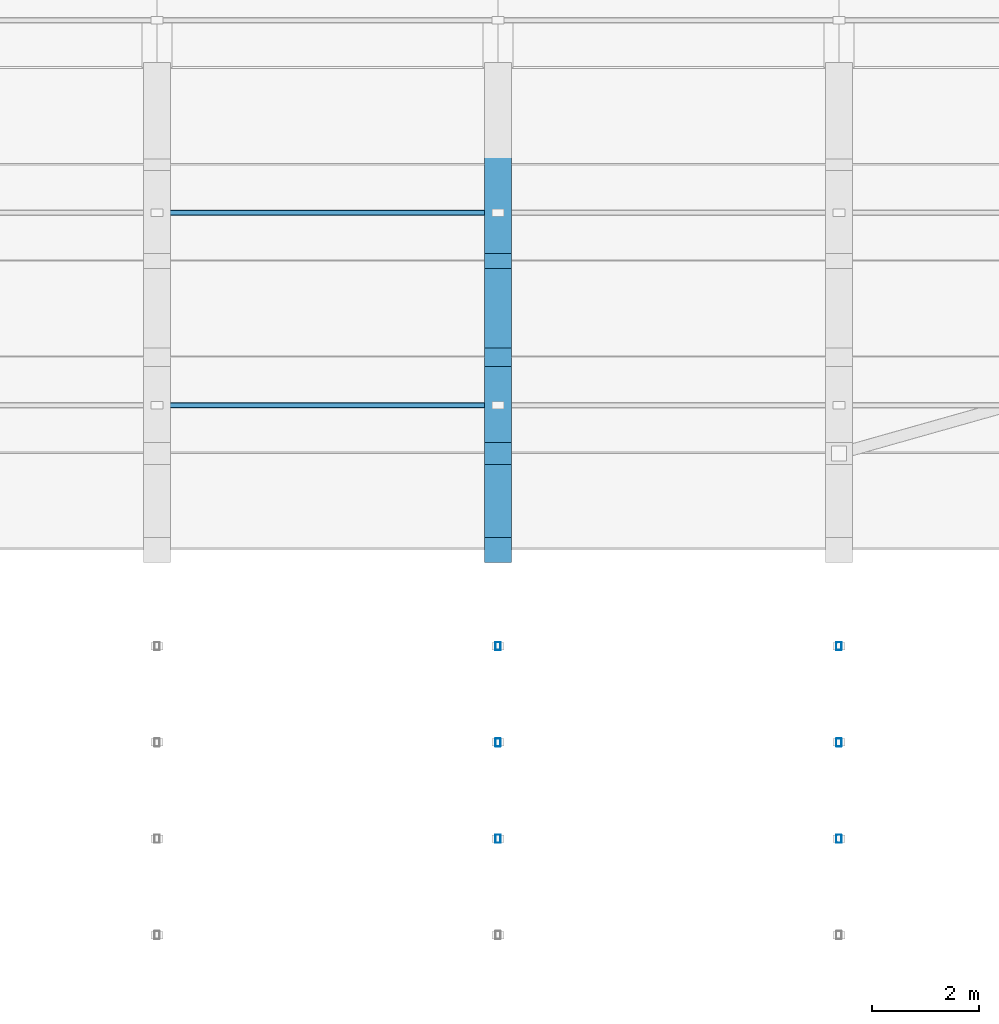
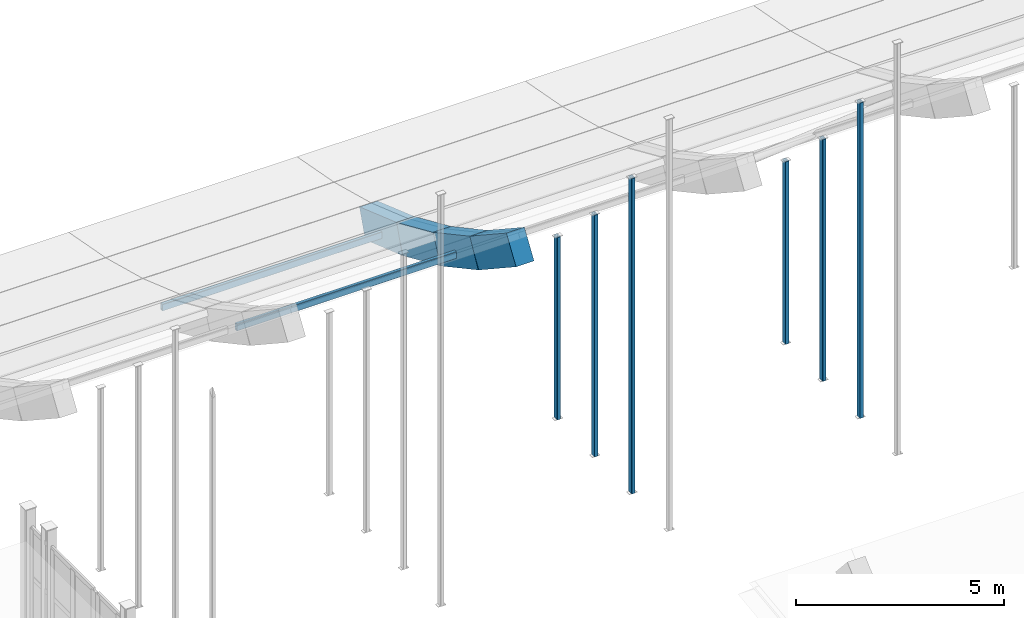
# One storey, part 21 of 77: 12 members.
"""IFC4 building model written with IfcOpenShell, lengths in metres."""

from ifc_helpers import new_model, si_unit, direction, frame, origin, origin_2d, place, context, subcontext, project, spatial, rectangle, hollow_rectangle, extrude, material, material_profile, profile_set, type_object, element, save


model = new_model("IFC4")

# Units and contexts
model_context = context("Model", 3, precision=1e-05, world=origin(), true_north=direction((0.0, 1.0)))
body_context = subcontext(model_context, "Body", "Model", "MODEL_VIEW")
ifc_project = project(units=[si_unit("LENGTHUNIT", "METRE"), si_unit("AREAUNIT", "SQUARE_METRE"), si_unit("VOLUMEUNIT", "CUBIC_METRE"), si_unit("PLANEANGLEUNIT", "RADIAN"), si_unit("MASSUNIT", "GRAM", prefix="KILO")], contexts=[model_context])

# Site, building, storey
site_placement = place(None, origin())
site = spatial("IfcSite", under=ifc_project, at=site_placement, CompositionType="ELEMENT")
building_placement = place(site_placement, origin())
building = spatial("IfcBuilding", under=site, at=building_placement, Name="Trellovar Central Fire Station", CompositionType="ELEMENT")
storey_placement = place(building_placement, frame((0.0, 0.0, 5.85009765625)))
storey = spatial("IfcBuildingStorey", under=building, at=storey_placement, Name="L02", CompositionType="ELEMENT", Elevation=5.85009765625)

# Members
ifc_material_1 = material(Name="Concrete C40/50", Category="concrete")
ifc_material_profile_1 = material_profile(ifc_material_1, rectangle(XDim=0.5, YDim=0.85009765625, at=origin_2d()), Name="RC500X850")
ifc_profile_set_1 = profile_set([ifc_material_profile_1], Name="Concrete C40/50")
member_type_1 = type_object("IfcMemberType", Name="MEM-AR2", PredefinedType="CHORD", material=ifc_profile_set_1)
member_1_placement = place(storey_placement, frame((54.050048828125, 31.6533203125, 3.73974609375), z_axis=(0.0, 0.835516018722, -0.549466088544), x_axis=(-1.0, 0.0, 0.0)))
element("IfcMember", 1, at=member_1_placement, inside=storey, type_object=member_type_1, Name="Parabolic arch rib AR-04 chord 11", PredefinedType="CHORD", context=body_context, shape_type="SweptSolid", body=[
    extrude(rectangle(XDim=0.5, YDim=0.85009765625, at=origin_2d()), origin(), (0.0, 0.0, 1.0), 2.146484375),
])
member_2_placement = place(storey_placement, frame((54.050048828125, 33.44677734375, 2.560302734375), z_axis=(0.0, 0.879319122317, -0.476233011379), x_axis=(-1.0, 0.0, 0.0)))
element("IfcMember", 2, at=member_2_placement, inside=storey, type_object=member_type_1, Name="Parabolic arch rib AR-04 chord 12", PredefinedType="CHORD", context=body_context, shape_type="SweptSolid", body=[
    extrude(rectangle(XDim=0.5, YDim=0.85009765625, at=origin_2d()), origin(), (0.0, 0.0, 1.0), 2.039306640625),
])
member_3_placement = place(storey_placement, frame((54.050048828125, 35.239990234375, 1.589111328125), z_axis=(0.0, 0.915259901496, -0.402863888569), x_axis=(-1.0, 0.0, 0.0)))
element("IfcMember", 3, at=member_3_placement, inside=storey, type_object=member_type_1, Name="Parabolic arch rib AR-04 chord 13", PredefinedType="CHORD", context=body_context, shape_type="SweptSolid", body=[
    extrude(rectangle(XDim=0.5, YDim=0.85009765625, at=origin_2d()), origin(), (0.0, 0.0, 1.0), 1.959228515625),
])
member_4_placement = place(storey_placement, frame((54.050048828125, 37.033203125, 0.7998046875), z_axis=(0.0, 0.94410254219, -0.329651922232), x_axis=(-1.0, 0.0, 0.0)))
element("IfcMember", 4, at=member_4_placement, inside=storey, type_object=member_type_1, Name="Parabolic arch rib AR-04 chord 14", PredefinedType="CHORD", context=body_context, shape_type="SweptSolid", body=[
    extrude(rectangle(XDim=0.5, YDim=0.85009765625, at=origin_2d()), origin(), (0.0, 0.0, 1.0), 1.899658203125),
])
ifc_material_2 = material(Name="Steel ASTM A500 Grade C", Category="steel")
ifc_material_profile_2 = material_profile(ifc_material_2, hollow_rectangle(XDim=0.1015625, YDim=0.203125, WallThickness=0.0087890625, InnerFilletRadius=0.0087890625, OuterFilletRadius=0.017822265625, at=origin_2d()), Name="HSS8X4X3/8")
ifc_profile_set_2 = profile_set([ifc_material_profile_2], Name="Steel ASTM A500 Grade C")
member_type_2 = type_object("IfcMemberType", Name="MEM-PU1", PredefinedType="PURLIN", material=ifc_profile_set_2)
for number, where, z_axis, x_axis, name in (
    (5, (47.699951171875, 34.343505859375, 1.98486328125), (1.0, 0.0, 0.0), (0.0, 1.0, 0.0), "Vault purlin V1-03-12"),
    (6, (47.699951171875, 37.929931640625, 0.396484375), (1.0, 0.0, 0.0), (0.0, 1.0, 0.0), "Vault purlin V1-03-14"),
):
    element("IfcMember", number, at=place(storey_placement, frame(where, z_axis=z_axis, x_axis=x_axis)), inside=storey, type_object=member_type_2, Name=name, PredefinedType="PURLIN", context=body_context, shape_type="SweptSolid", body=[
        extrude(hollow_rectangle(XDim=0.1015625, YDim=0.203125, WallThickness=0.0087890625, InnerFilletRadius=0.0087890625, OuterFilletRadius=0.017822265625, at=origin_2d()), origin(), (0.0, 0.0, 1.0), 6.35009765625),
    ])
ifc_material_3 = material(Name="Steel ASTM A500 Grade C", Category="steel")
ifc_material_profile_3 = material_profile(ifc_material_3, hollow_rectangle(XDim=0.1015625, YDim=0.15234375, WallThickness=0.005859375, InnerFilletRadius=0.005859375, OuterFilletRadius=0.01171875, at=origin_2d()), Name="HSS6X4X1/4")
ifc_profile_set_3 = profile_set([ifc_material_profile_3], Name="Steel ASTM A500 Grade C")
member_type_3 = type_object("IfcMemberType", Name="MEM-ST2", PredefinedType="STRUT", material=ifc_profile_set_3)
member_5_placement = place(storey_placement, frame((54.050048828125, 26.273193359375, -0.2001953125), z_axis=(0.0, 0.0, 1.0), x_axis=(1.0, 0.0, 0.0)))
element("IfcMember", 7, at=member_5_placement, inside=storey, type_object=member_type_3, Name="V1 tied-arch web post 04 Y=26.3", PredefinedType="STRUT", context=body_context, shape_type="SweptSolid", body=[
    extrude(hollow_rectangle(XDim=0.1015625, YDim=0.15234375, WallThickness=0.005859375, InnerFilletRadius=0.005859375, OuterFilletRadius=0.01171875, at=origin_2d()), origin(), (0.0, 0.0, 1.0), 9.2705078125),
])
member_6_placement = place(storey_placement, frame((54.050048828125, 28.066650390625, -0.2001953125), z_axis=(0.0, 0.0, 1.0), x_axis=(1.0, 0.0, 0.0)))
element("IfcMember", 8, at=member_6_placement, inside=storey, type_object=member_type_3, Name="V1 tied-arch web post 04 Y=28.1", PredefinedType="STRUT", context=body_context, shape_type="SweptSolid", body=[
    extrude(hollow_rectangle(XDim=0.1015625, YDim=0.15234375, WallThickness=0.005859375, InnerFilletRadius=0.005859375, OuterFilletRadius=0.01171875, at=origin_2d()), origin(), (0.0, 0.0, 1.0), 7.107421875),
])
member_7_placement = place(storey_placement, frame((54.050048828125, 29.860107421875, -0.2001953125), z_axis=(0.0, 0.0, 1.0), x_axis=(1.0, 0.0, 0.0)))
element("IfcMember", 9, at=member_7_placement, inside=storey, type_object=member_type_3, Name="V1 tied-arch web post 04 Y=29.9", PredefinedType="STRUT", context=body_context, shape_type="SweptSolid", body=[
    extrude(hollow_rectangle(XDim=0.1015625, YDim=0.15234375, WallThickness=0.005859375, InnerFilletRadius=0.005859375, OuterFilletRadius=0.01171875, at=origin_2d()), origin(), (0.0, 0.0, 1.0), 5.36767578125),
])
member_8_placement = place(storey_placement, frame((60.39990234375, 26.273193359375, -0.2001953125), z_axis=(0.0, 0.0, 1.0), x_axis=(1.0, 0.0, 0.0)))
element("IfcMember", 10, at=member_8_placement, inside=storey, type_object=member_type_3, Name="V1 tied-arch web post 05 Y=26.3", PredefinedType="STRUT", context=body_context, shape_type="SweptSolid", body=[
    extrude(hollow_rectangle(XDim=0.1015625, YDim=0.15234375, WallThickness=0.005859375, InnerFilletRadius=0.005859375, OuterFilletRadius=0.01171875, at=origin_2d()), origin(), (0.0, 0.0, 1.0), 9.2705078125),
])
member_9_placement = place(storey_placement, frame((60.39990234375, 28.066650390625, -0.2001953125), z_axis=(0.0, 0.0, 1.0), x_axis=(1.0, 0.0, 0.0)))
element("IfcMember", 11, at=member_9_placement, inside=storey, type_object=member_type_3, Name="V1 tied-arch web post 05 Y=28.1", PredefinedType="STRUT", context=body_context, shape_type="SweptSolid", body=[
    extrude(hollow_rectangle(XDim=0.1015625, YDim=0.15234375, WallThickness=0.005859375, InnerFilletRadius=0.005859375, OuterFilletRadius=0.01171875, at=origin_2d()), origin(), (0.0, 0.0, 1.0), 7.107421875),
])
member_10_placement = place(storey_placement, frame((60.39990234375, 29.860107421875, -0.2001953125), z_axis=(0.0, 0.0, 1.0), x_axis=(1.0, 0.0, 0.0)))
element("IfcMember", 12, at=member_10_placement, inside=storey, type_object=member_type_3, Name="V1 tied-arch web post 05 Y=29.9", PredefinedType="STRUT", context=body_context, shape_type="SweptSolid", body=[
    extrude(hollow_rectangle(XDim=0.1015625, YDim=0.15234375, WallThickness=0.005859375, InnerFilletRadius=0.005859375, OuterFilletRadius=0.01171875, at=origin_2d()), origin(), (0.0, 0.0, 1.0), 5.36767578125),
])

save(model, "model.ifc")
